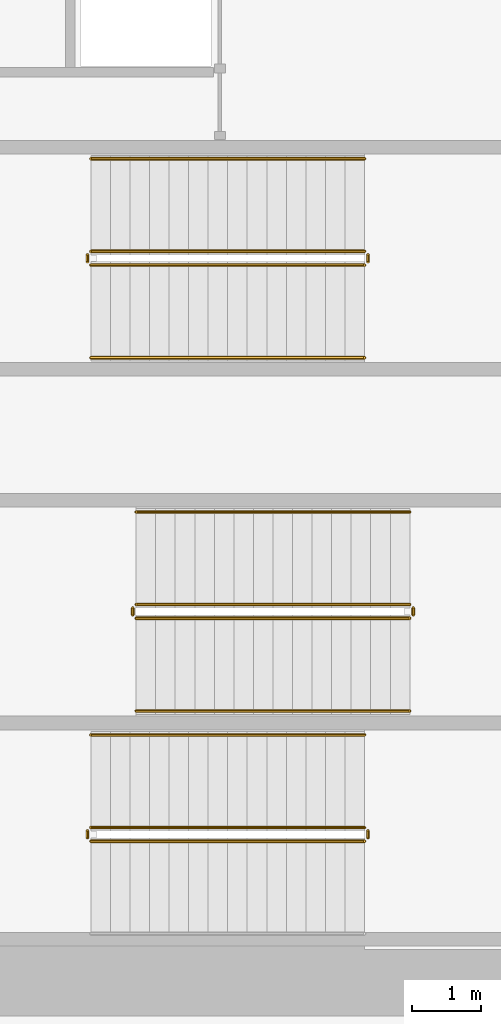
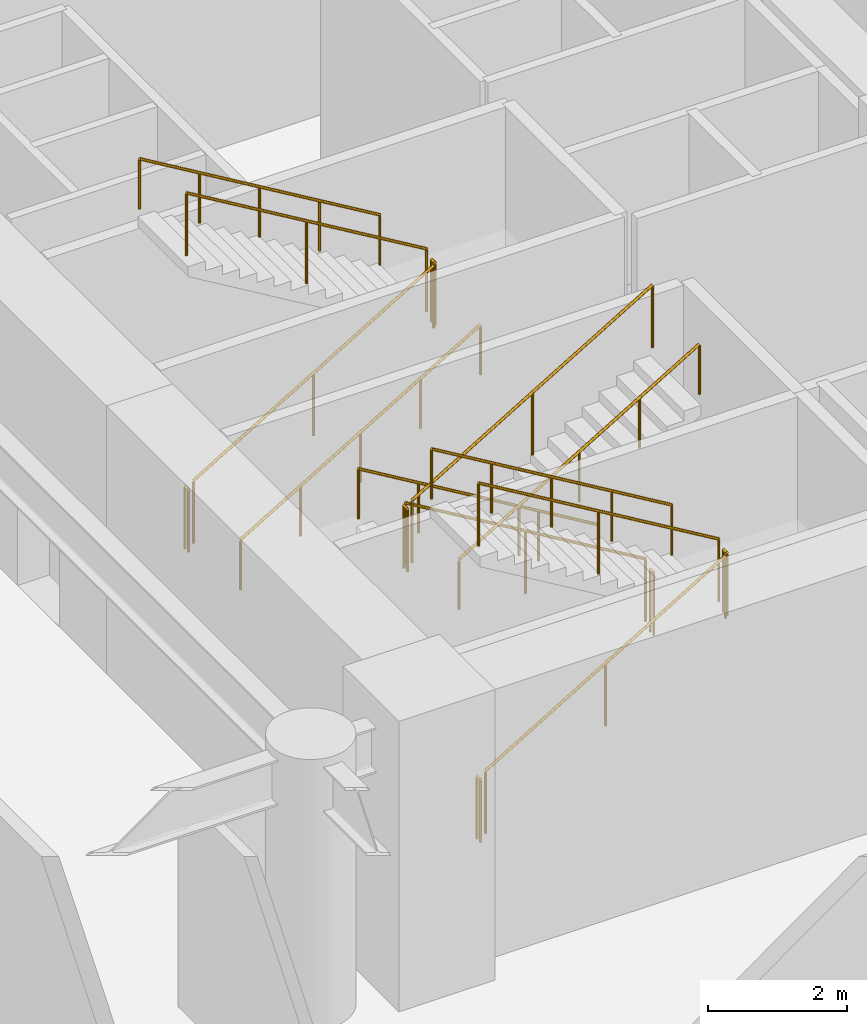
# One storey, part 39 of 40: 17 railings.
"""IFC4 building model written with IfcOpenShell, lengths in metres."""

from ifc_helpers import new_model, si_unit, direction, frame, origin, origin_2d, place, context, subcontext, project, spatial, circle, extrude, material, type_object, element, save


model = new_model("IFC4")

# Units and contexts
model_context = context("Model", 3, precision=1e-05, world=origin(), true_north=direction((0.0, 1.0)))
body_context = subcontext(model_context, "Body", "Model", "MODEL_VIEW")
ifc_project = project(units=[si_unit("LENGTHUNIT", "METRE"), si_unit("AREAUNIT", "SQUARE_METRE"), si_unit("VOLUMEUNIT", "CUBIC_METRE"), si_unit("PLANEANGLEUNIT", "RADIAN"), si_unit("MASSUNIT", "GRAM", prefix="KILO")], contexts=[model_context])

# Site, building, storey
site_placement = place(None, origin())
site = spatial("IfcSite", under=ifc_project, at=site_placement, CompositionType="ELEMENT")
building_placement = place(site_placement, origin())
building = spatial("IfcBuilding", under=site, at=building_placement, Name="Narakoshi Arena Tower", CompositionType="ELEMENT")
storey_placement = place(building_placement, frame((0.0, 0.0, 21.60009765625)))
storey = spatial("IfcBuildingStorey", under=building, at=storey_placement, Name="L05", CompositionType="ELEMENT", Elevation=21.60009765625)

# Railings
ifc_material_1 = material(Name="Clear low-iron laminated structural glass", Category="glass")
railing_type_1 = type_object("IfcRailingType", Name="RL-BAL-1100", PredefinedType="BALUSTRADE", material=ifc_material_1)
railing_1_placement = place(storey_placement, frame((74.39990234375, 36.949951171875, 0.169921875)))
element("IfcRailing", 1, at=railing_1_placement, inside=storey, type_object=railing_type_1, Name="L05 ST1 stair guard 1", PredefinedType="BALUSTRADE", context=body_context, shape_type="SweptSolid", body=[
    extrude(circle(Radius=0.02392578125, at=origin_2d()), frame((0.0, 0.0, 1.09619140625), z_axis=(0.85883005064, 0.0, 0.512260621284), x_axis=(0.0, 1.0, 0.0)), (0.0, 0.0, 1.0), 4.645751953125),
    extrude(circle(Radius=0.02099609375, at=origin_2d()), origin(), (0.0, 0.0, 1.0), 1.072021484375),
    extrude(circle(Radius=0.02099609375, at=origin_2d()), frame((1.9951171875, 0.0, 1.18994140625)), (0.0, 0.0, 1.0), 1.072021484375),
    extrude(circle(Radius=0.02099609375, at=origin_2d()), frame((3.989990234375, 0.0, 2.3798828125)), (0.0, 0.0, 1.0), 1.072021484375),
])
railing_2_placement = place(storey_placement, frame((78.43994140625, 37.0, 2.5498046875)))
element("IfcRailing", 2, at=railing_2_placement, inside=storey, type_object=railing_type_1, Name="L05 ST1 stair guard 2", PredefinedType="BALUSTRADE", context=body_context, shape_type="SweptSolid", body=[
    extrude(circle(Radius=0.02392578125, at=origin_2d()), frame((0.0, 0.0, 1.09619140625), z_axis=(0.0, 1.0, 0.0), x_axis=(-1.0, 0.0, 0.0)), (0.0, 0.0, 1.0), 0.10009765625),
    extrude(circle(Radius=0.02099609375, at=origin_2d()), origin(), (0.0, 0.0, 1.0), 1.072021484375),
    extrude(circle(Radius=0.02099609375, at=origin_2d()), frame((0.0, 0.10009765625, 0.0)), (0.0, 0.0, 1.0), 1.072021484375),
])
railing_3_placement = place(storey_placement, frame((78.389892578125, 37.14990234375, 2.719970703125)))
element("IfcRailing", 3, at=railing_3_placement, inside=storey, type_object=railing_type_1, Name="L05 ST1 stair guard 3", PredefinedType="BALUSTRADE", context=body_context, shape_type="SweptSolid", body=[
    extrude(circle(Radius=0.02392578125, at=origin_2d()), frame((0.0, 0.0, 1.09619140625), z_axis=(-0.85883005064, 0.0, 0.512260621284), x_axis=(0.0, -1.0, 0.0)), (0.0, 0.0, 1.0), 4.645751953125),
    extrude(circle(Radius=0.02099609375, at=origin_2d()), origin(), (0.0, 0.0, 1.0), 1.072021484375),
    extrude(circle(Radius=0.02099609375, at=origin_2d()), frame((-1.9951171875, 0.0, 1.18994140625)), (0.0, 0.0, 1.0), 1.072021484375),
    extrude(circle(Radius=0.02099609375, at=origin_2d()), frame((-3.989990234375, 0.0, 2.3798828125)), (0.0, 0.0, 1.0), 1.072021484375),
])
railing_4_placement = place(storey_placement, frame((74.35009765625, 37.0, 0.0)))
element("IfcRailing", 4, at=railing_4_placement, inside=storey, type_object=railing_type_1, Name="L05 ST1 stair guard 4", PredefinedType="BALUSTRADE", context=body_context, shape_type="SweptSolid", body=[
    extrude(circle(Radius=0.02392578125, at=origin_2d()), frame((0.0, 0.0, 1.09619140625), z_axis=(0.0, 1.0, 0.0), x_axis=(-1.0, 0.0, 0.0)), (0.0, 0.0, 1.0), 0.10009765625),
    extrude(circle(Radius=0.02099609375, at=origin_2d()), origin(), (0.0, 0.0, 1.0), 1.072021484375),
    extrude(circle(Radius=0.02099609375, at=origin_2d()), frame((0.0, 0.10009765625, 0.0)), (0.0, 0.0, 1.0), 1.072021484375),
])
railing_5_placement = place(storey_placement, frame((79.050048828125, 40.39990234375, 0.169921875)))
element("IfcRailing", 5, at=railing_5_placement, inside=storey, type_object=railing_type_1, Name="L05 ST2 stair guard 1", PredefinedType="BALUSTRADE", context=body_context, shape_type="SweptSolid", body=[
    extrude(circle(Radius=0.02392578125, at=origin_2d()), frame((0.0, 0.0, 1.09619140625), z_axis=(-0.85883005064, 0.0, 0.512260621284), x_axis=(0.0, -1.0, 0.0)), (0.0, 0.0, 1.0), 4.645751953125),
    extrude(circle(Radius=0.02099609375, at=origin_2d()), origin(), (0.0, 0.0, 1.0), 1.072021484375),
    extrude(circle(Radius=0.02099609375, at=origin_2d()), frame((-1.9951171875, 0.0, 1.18994140625)), (0.0, 0.0, 1.0), 1.072021484375),
    extrude(circle(Radius=0.02099609375, at=origin_2d()), frame((-3.989990234375, 0.0, 2.3798828125)), (0.0, 0.0, 1.0), 1.072021484375),
])
railing_6_placement = place(storey_placement, frame((75.010009765625, 40.35009765625, 2.5498046875)))
element("IfcRailing", 6, at=railing_6_placement, inside=storey, type_object=railing_type_1, Name="L05 ST2 stair guard 2", PredefinedType="BALUSTRADE", context=body_context, shape_type="SweptSolid", body=[
    extrude(circle(Radius=0.02392578125, at=origin_2d()), frame((0.0, 0.0, 1.09619140625), z_axis=(0.0, -1.0, 0.0), x_axis=(1.0, 0.0, 0.0)), (0.0, 0.0, 1.0), 0.10009765625),
    extrude(circle(Radius=0.02099609375, at=origin_2d()), origin(), (0.0, 0.0, 1.0), 1.072021484375),
    extrude(circle(Radius=0.02099609375, at=origin_2d()), frame((0.0, -0.10009765625, 0.0)), (0.0, 0.0, 1.0), 1.072021484375),
])
railing_7_placement = place(storey_placement, frame((75.06005859375, 40.199951171875, 2.719970703125)))
element("IfcRailing", 7, at=railing_7_placement, inside=storey, type_object=railing_type_1, Name="L05 ST2 stair guard 3", PredefinedType="BALUSTRADE", context=body_context, shape_type="SweptSolid", body=[
    extrude(circle(Radius=0.02392578125, at=origin_2d()), frame((0.0, 0.0, 1.09619140625), z_axis=(0.85883005064, 0.0, 0.512260621284), x_axis=(0.0, 1.0, 0.0)), (0.0, 0.0, 1.0), 4.645751953125),
    extrude(circle(Radius=0.02099609375, at=origin_2d()), origin(), (0.0, 0.0, 1.0), 1.072021484375),
    extrude(circle(Radius=0.02099609375, at=origin_2d()), frame((1.9951171875, 0.0, 1.18994140625)), (0.0, 0.0, 1.0), 1.072021484375),
    extrude(circle(Radius=0.02099609375, at=origin_2d()), frame((3.989990234375, 0.0, 2.3798828125)), (0.0, 0.0, 1.0), 1.072021484375),
])
railing_8_placement = place(storey_placement, frame((79.10009765625, 40.35009765625, 0.0)))
element("IfcRailing", 8, at=railing_8_placement, inside=storey, type_object=railing_type_1, Name="L05 ST2 stair guard 4", PredefinedType="BALUSTRADE", context=body_context, shape_type="SweptSolid", body=[
    extrude(circle(Radius=0.02392578125, at=origin_2d()), frame((0.0, 0.0, 1.09619140625), z_axis=(0.0, -1.0, 0.0), x_axis=(1.0, 0.0, 0.0)), (0.0, 0.0, 1.0), 0.10009765625),
    extrude(circle(Radius=0.02099609375, at=origin_2d()), origin(), (0.0, 0.0, 1.0), 1.072021484375),
    extrude(circle(Radius=0.02099609375, at=origin_2d()), frame((0.0, -0.10009765625, 0.0)), (0.0, 0.0, 1.0), 1.072021484375),
])
railing_9_placement = place(storey_placement, frame((74.39990234375, 45.35009765625, 0.169921875)))
element("IfcRailing", 9, at=railing_9_placement, inside=storey, type_object=railing_type_1, Name="L05 ST3 stair guard 1", PredefinedType="BALUSTRADE", context=body_context, shape_type="SweptSolid", body=[
    extrude(circle(Radius=0.02392578125, at=origin_2d()), frame((0.0, 0.0, 1.09619140625), z_axis=(0.85883005064, 0.0, 0.512260621284), x_axis=(0.0, 1.0, 0.0)), (0.0, 0.0, 1.0), 4.645751953125),
    extrude(circle(Radius=0.02099609375, at=origin_2d()), origin(), (0.0, 0.0, 1.0), 1.072021484375),
    extrude(circle(Radius=0.02099609375, at=origin_2d()), frame((1.9951171875, 0.0, 1.18994140625)), (0.0, 0.0, 1.0), 1.072021484375),
    extrude(circle(Radius=0.02099609375, at=origin_2d()), frame((3.989990234375, 0.0, 2.3798828125)), (0.0, 0.0, 1.0), 1.072021484375),
])
railing_10_placement = place(storey_placement, frame((78.43994140625, 45.39990234375, 2.5498046875)))
element("IfcRailing", 10, at=railing_10_placement, inside=storey, type_object=railing_type_1, Name="L05 ST3 stair guard 2", PredefinedType="BALUSTRADE", context=body_context, shape_type="SweptSolid", body=[
    extrude(circle(Radius=0.02392578125, at=origin_2d()), frame((0.0, 0.0, 1.09619140625), z_axis=(0.0, 1.0, 0.0), x_axis=(-1.0, 0.0, 0.0)), (0.0, 0.0, 1.0), 0.10009765625),
    extrude(circle(Radius=0.02099609375, at=origin_2d()), origin(), (0.0, 0.0, 1.0), 1.072021484375),
    extrude(circle(Radius=0.02099609375, at=origin_2d()), frame((0.0, 0.10009765625, 0.0)), (0.0, 0.0, 1.0), 1.072021484375),
])
railing_11_placement = place(storey_placement, frame((78.389892578125, 45.550048828125, 2.719970703125)))
element("IfcRailing", 11, at=railing_11_placement, inside=storey, type_object=railing_type_1, Name="L05 ST3 stair guard 3", PredefinedType="BALUSTRADE", context=body_context, shape_type="SweptSolid", body=[
    extrude(circle(Radius=0.02392578125, at=origin_2d()), frame((0.0, 0.0, 1.09619140625), z_axis=(-0.85883005064, 0.0, 0.512260621284), x_axis=(0.0, -1.0, 0.0)), (0.0, 0.0, 1.0), 4.645751953125),
    extrude(circle(Radius=0.02099609375, at=origin_2d()), origin(), (0.0, 0.0, 1.0), 1.072021484375),
    extrude(circle(Radius=0.02099609375, at=origin_2d()), frame((-1.9951171875, 0.0, 1.18994140625)), (0.0, 0.0, 1.0), 1.072021484375),
    extrude(circle(Radius=0.02099609375, at=origin_2d()), frame((-3.989990234375, 0.0, 2.3798828125)), (0.0, 0.0, 1.0), 1.072021484375),
])
railing_12_placement = place(storey_placement, frame((74.35009765625, 45.39990234375, 0.0)))
element("IfcRailing", 12, at=railing_12_placement, inside=storey, type_object=railing_type_1, Name="L05 ST3 stair guard 4", PredefinedType="BALUSTRADE", context=body_context, shape_type="SweptSolid", body=[
    extrude(circle(Radius=0.02392578125, at=origin_2d()), frame((0.0, 0.0, 1.09619140625), z_axis=(0.0, 1.0, 0.0), x_axis=(-1.0, 0.0, 0.0)), (0.0, 0.0, 1.0), 0.10009765625),
    extrude(circle(Radius=0.02099609375, at=origin_2d()), origin(), (0.0, 0.0, 1.0), 1.072021484375),
    extrude(circle(Radius=0.02099609375, at=origin_2d()), frame((0.0, 0.10009765625, 0.0)), (0.0, 0.0, 1.0), 1.072021484375),
])
ifc_material_2 = material(Name="Brushed bronze stainless steel", Category="steel")
railing_type_2 = type_object("IfcRailingType", Name="RL-HND-900", PredefinedType="HANDRAIL", material=ifc_material_2)
for number, where, name in (
    (13, (78.389892578125, 38.5, 2.719970703125), "L05 ST1 stair handrail 2"),
    (14, (79.050048828125, 41.75, 0.169921875), "L05 ST2 stair handrail 1"),
):
    element("IfcRailing", number, at=place(storey_placement, frame(where)), inside=storey, type_object=railing_type_2, Name=name, PredefinedType="HANDRAIL", context=body_context, shape_type="SweptSolid", body=[
        extrude(circle(Radius=0.02392578125, at=origin_2d()), frame((0.0, 0.0, 0.8759765625), z_axis=(-0.85883005064, 0.0, 0.512260621284), x_axis=(0.0, -1.0, 0.0)), (0.0, 0.0, 1.0), 4.645751953125),
        extrude(circle(Radius=0.02099609375, at=origin_2d()), origin(), (0.0, 0.0, 1.0), 0.851806640625),
        extrude(circle(Radius=0.02099609375, at=origin_2d()), frame((-0.99755859375, 0.0, 0.594970703125)), (0.0, 0.0, 1.0), 0.851806640625),
        extrude(circle(Radius=0.02099609375, at=origin_2d()), frame((-1.9951171875, 0.0, 1.18994140625)), (0.0, 0.0, 1.0), 0.851806640625),
        extrude(circle(Radius=0.02099609375, at=origin_2d()), frame((-2.992431640625, 0.0, 1.784912109375)), (0.0, 0.0, 1.0), 0.851806640625),
        extrude(circle(Radius=0.02099609375, at=origin_2d()), frame((-3.989990234375, 0.0, 2.3798828125)), (0.0, 0.0, 1.0), 0.851806640625),
    ])
for number, where, name in (
    (15, (75.06005859375, 38.85009765625, 2.719970703125), "L05 ST2 stair handrail 2"),
    (16, (74.39990234375, 44.0, 0.169921875), "L05 ST3 stair handrail 1"),
):
    element("IfcRailing", number, at=place(storey_placement, frame(where)), inside=storey, type_object=railing_type_2, Name=name, PredefinedType="HANDRAIL", context=body_context, shape_type="SweptSolid", body=[
        extrude(circle(Radius=0.02392578125, at=origin_2d()), frame((0.0, 0.0, 0.8759765625), z_axis=(0.85883005064, 0.0, 0.512260621284), x_axis=(0.0, 1.0, 0.0)), (0.0, 0.0, 1.0), 4.645751953125),
        extrude(circle(Radius=0.02099609375, at=origin_2d()), origin(), (0.0, 0.0, 1.0), 0.851806640625),
        extrude(circle(Radius=0.02099609375, at=origin_2d()), frame((0.99755859375, 0.0, 0.594970703125)), (0.0, 0.0, 1.0), 0.851806640625),
        extrude(circle(Radius=0.02099609375, at=origin_2d()), frame((1.9951171875, 0.0, 1.18994140625)), (0.0, 0.0, 1.0), 0.851806640625),
        extrude(circle(Radius=0.02099609375, at=origin_2d()), frame((2.992431640625, 0.0, 1.784912109375)), (0.0, 0.0, 1.0), 0.851806640625),
        extrude(circle(Radius=0.02099609375, at=origin_2d()), frame((3.989990234375, 0.0, 2.3798828125)), (0.0, 0.0, 1.0), 0.851806640625),
    ])
railing_13_placement = place(storey_placement, frame((78.389892578125, 46.89990234375, 2.719970703125)))
element("IfcRailing", 17, at=railing_13_placement, inside=storey, type_object=railing_type_2, Name="L05 ST3 stair handrail 2", PredefinedType="HANDRAIL", context=body_context, shape_type="SweptSolid", body=[
    extrude(circle(Radius=0.02392578125, at=origin_2d()), frame((0.0, 0.0, 0.8759765625), z_axis=(-0.85883005064, 0.0, 0.512260621284), x_axis=(0.0, -1.0, 0.0)), (0.0, 0.0, 1.0), 4.645751953125),
    extrude(circle(Radius=0.02099609375, at=origin_2d()), origin(), (0.0, 0.0, 1.0), 0.851806640625),
    extrude(circle(Radius=0.02099609375, at=origin_2d()), frame((-0.99755859375, 0.0, 0.594970703125)), (0.0, 0.0, 1.0), 0.851806640625),
    extrude(circle(Radius=0.02099609375, at=origin_2d()), frame((-1.9951171875, 0.0, 1.18994140625)), (0.0, 0.0, 1.0), 0.851806640625),
    extrude(circle(Radius=0.02099609375, at=origin_2d()), frame((-2.992431640625, 0.0, 1.784912109375)), (0.0, 0.0, 1.0), 0.851806640625),
    extrude(circle(Radius=0.02099609375, at=origin_2d()), frame((-3.989990234375, 0.0, 2.3798828125)), (0.0, 0.0, 1.0), 0.851806640625),
])

save(model, "model.ifc")
